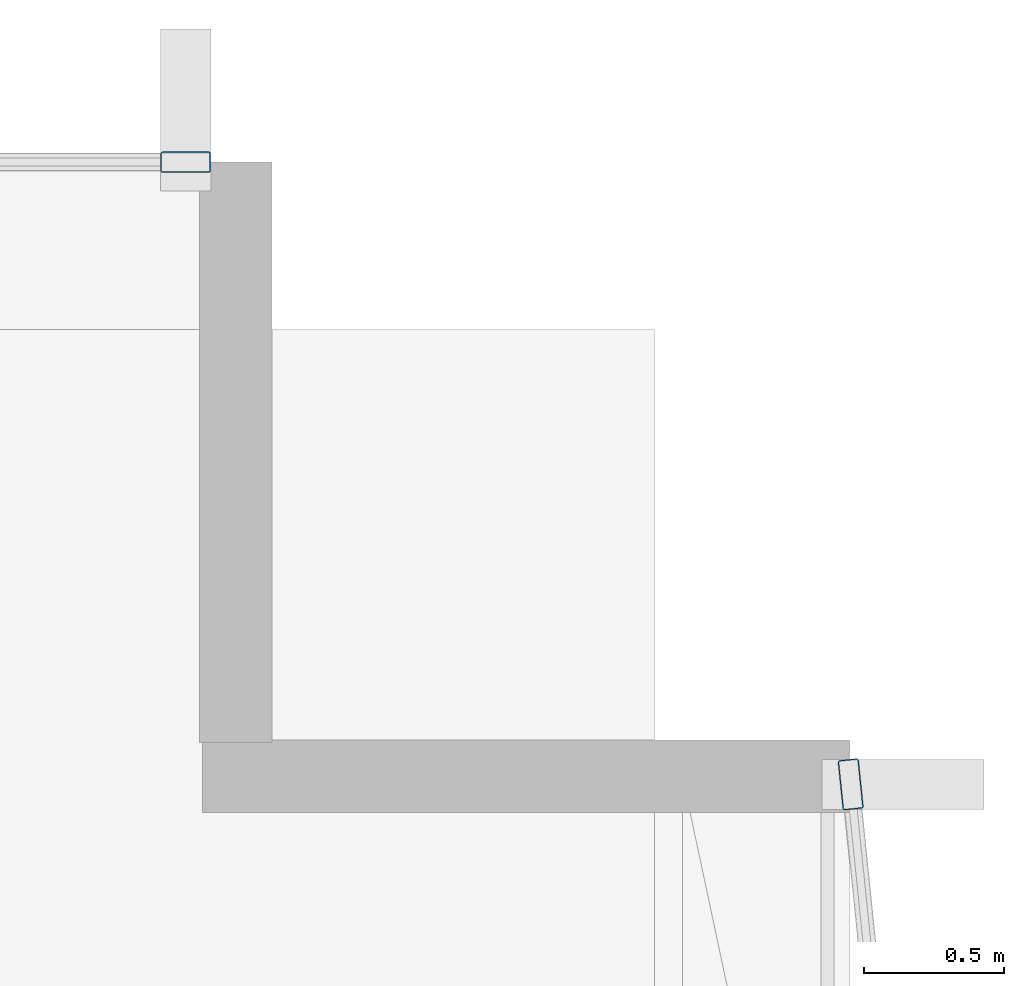
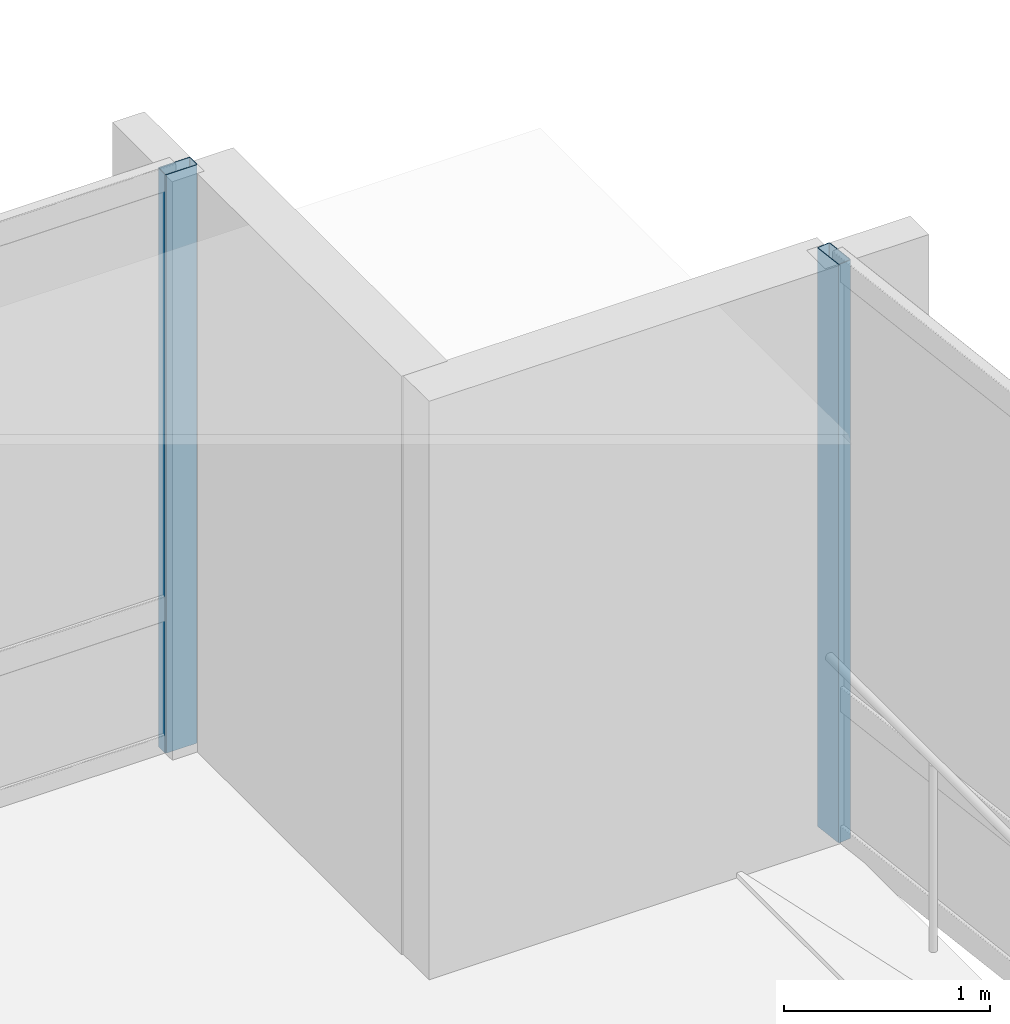
# One storey, part 17 of 34: 2 members, 2 elements without a shape of their own.
"""IFC4 building model written with IfcOpenShell, lengths in metres."""

from ifc_helpers import new_model, si_unit, direction, frame, origin, origin_2d, place, context, subcontext, project, spatial, hollow_rectangle, extrude, material, layer, layer_set, material_profile, profile_set, type_object, element, aggregate, save


model = new_model("IFC4")

# Units and contexts
model_context = context("Model", 3, precision=1e-05, world=origin(), true_north=direction((0.0, 1.0)))
body_context = subcontext(model_context, "Body", "Model", "MODEL_VIEW")
ifc_project = project(units=[si_unit("LENGTHUNIT", "METRE"), si_unit("AREAUNIT", "SQUARE_METRE"), si_unit("VOLUMEUNIT", "CUBIC_METRE"), si_unit("PLANEANGLEUNIT", "RADIAN"), si_unit("MASSUNIT", "GRAM", prefix="KILO")], contexts=[model_context])

# Site, building, storey
site_placement = place(None, origin())
site = spatial("IfcSite", under=ifc_project, at=site_placement, CompositionType="ELEMENT")
building_placement = place(site_placement, origin())
building = spatial("IfcBuilding", under=site, at=building_placement, Name="Solvaryn Broadcast Tower", CompositionType="ELEMENT")
storey_placement = place(building_placement, frame((0.0, 0.0, 73.0)))
storey = spatial("IfcBuildingStorey", under=building, at=storey_placement, Name="L17", CompositionType="ELEMENT", Elevation=73.0)

# Curtain wall, member
ifc_material_1 = material(Name="Aluminium and Terracotta Unitised Curtain Wall", Category="masonry")
ifc_layer = layer(ifc_material_1, 0.199951171875)
ifc_layer_set = layer_set([ifc_layer], Name="CW-SYS2-LOWMID")
curtain_wall_type = type_object("IfcCurtainWallType", Name="CW-SYS2-LOWMID", PredefinedType="NOTDEFINED", material=ifc_layer_set)
curtain_wall_1_placement = place(storey_placement, origin())
curtain_wall_1 = element("IfcCurtainWall", 1, at=curtain_wall_1_placement, inside=storey, type_object=curtain_wall_type, Name="L17 Curtain Wall ET1", PredefinedType="NOTDEFINED")
ifc_material_2 = material(Name="Anodised Aluminium 6063-T6", Category="aluminium")
ifc_material_profile = material_profile(ifc_material_2, hollow_rectangle(XDim=0.074951171875, YDim=0.179931640625, WallThickness=0.00390625, InnerFilletRadius=0.00390625, OuterFilletRadius=0.008056640625, at=origin_2d()))
ifc_profile_set = profile_set([ifc_material_profile], Name="Anodised Aluminium 6063-T6")
member_type = type_object("IfcMemberType", Name="CW-MUL-180", PredefinedType="MULLION", material=ifc_profile_set)
member_1_placement = place(storey_placement, frame((63.003173828125, 24.770263671875, 0.0), z_axis=(0.0, 0.0, 1.0), x_axis=(0.99474329889, 0.10240004548, 0.0)))
member_1 = element("IfcMember", 2, at=member_1_placement, type_object=member_type, Name="CWS2 mullion 1", PredefinedType="MULLION", context=body_context, shape_type="SweptSolid", body=[
    extrude(hollow_rectangle(XDim=0.074951171875, YDim=0.179931640625, WallThickness=0.00390625, InnerFilletRadius=0.00390625, OuterFilletRadius=0.008056640625, at=origin_2d()), origin(), (0.0, 0.0, 1.0), 3.419921875),
])
aggregate(curtain_wall_1, [member_1])

curtain_wall_2_placement = place(storey_placement, origin())
curtain_wall_2 = element("IfcCurtainWall", 3, at=curtain_wall_2_placement, inside=storey, type_object=curtain_wall_type, Name="L17 Curtain Wall IH", PredefinedType="NOTDEFINED")
member_2_placement = place(storey_placement, frame((60.6201171875, 27.0, 0.0), z_axis=(0.0, 0.0, 1.0), x_axis=(0.0, 1.0, 0.0)))
member_2 = element("IfcMember", 4, at=member_2_placement, type_object=member_type, Name="CWS2 mullion 2", PredefinedType="MULLION", context=body_context, shape_type="SweptSolid", body=[
    extrude(hollow_rectangle(XDim=0.074951171875, YDim=0.179931640625, WallThickness=0.00390625, InnerFilletRadius=0.00390625, OuterFilletRadius=0.008056640625, at=origin_2d()), origin(), (0.0, 0.0, 1.0), 3.419921875),
])
aggregate(curtain_wall_2, [member_2])

save(model, "model.ifc")
